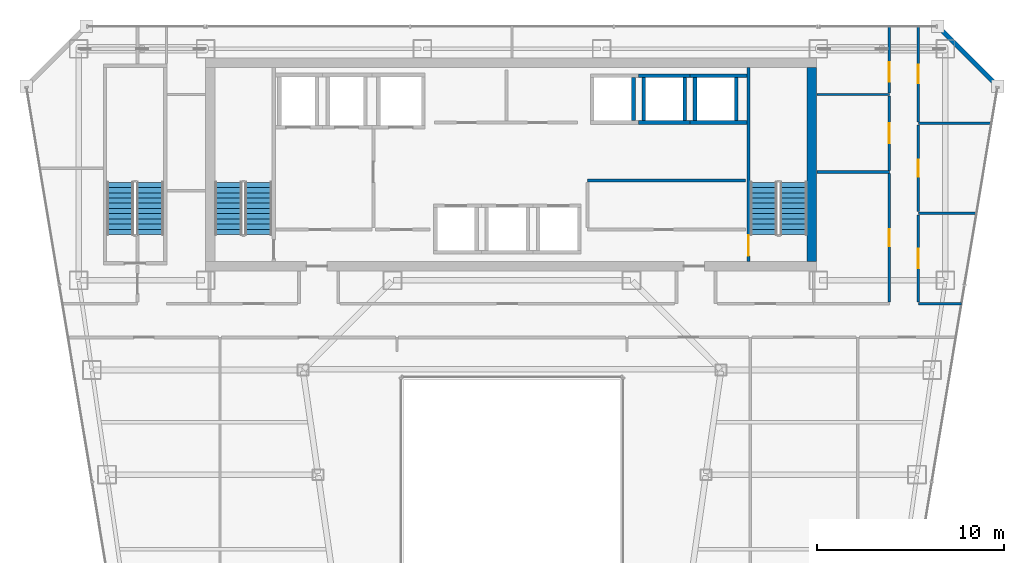
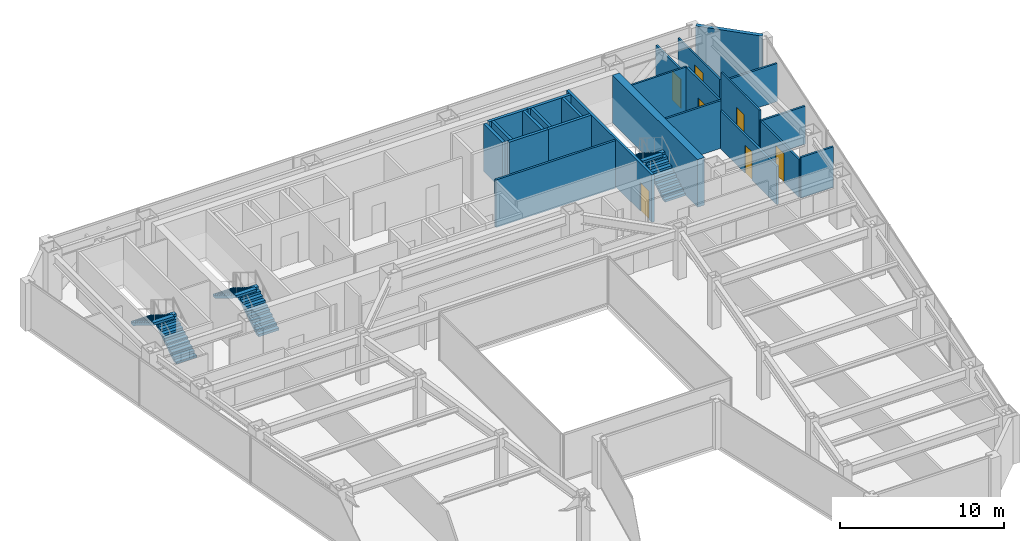
# One storey, part 33 of 36: 24 walls, 7 doors, 6 stair flights, 7 openings, 3 elements without a shape of their own.
"""IFC4 building model written with IfcOpenShell, lengths in metres."""

import ifcopenshell
import ifcopenshell.guid

model = None  # the IFC model being written
_history = None  # IfcOwnerHistory: only IFC2X3 demands one
_inside = {}  # id of a spatial element -> (the spatial element, [elements in it])
_under = {}  # id of a project, library or spatial element -> (it, [spatial elements below it])
_declared = {}  # id of a project -> (the project, [libraries it declares])
_typed = {}  # id of a type object -> (the type object, [elements of that type])
_made_of = {}  # id of a material, layer set ... -> (it, [elements and type objects made of it])


def new_model(schema):
    """Start an empty IFC model of exactly this schema.

    Asked for "IFC4X3", IfcOpenShell would pick the latest addendum, in which some entities
    have other attributes; the version numbers below select the first issue.
    IFC2X3 requires an IfcOwnerHistory on every rooted entity: one is made here for all.
    """
    global model, _history
    if schema == "IFC4X3":
        model = ifcopenshell.file(schema_version=(4, 3, 0, 0))
    else:
        model = ifcopenshell.file(schema=schema)
    _inside.clear()
    _under.clear()
    _declared.clear()
    _typed.clear()
    _made_of.clear()
    _history = None
    if model.schema == "IFC2X3":
        org = make("IfcOrganization", Name="unknown")
        user = make(
            "IfcPersonAndOrganization",
            ThePerson=make("IfcPerson", FamilyName="unknown"),
            TheOrganization=org,
        )
        app = make(
            "IfcApplication",
            ApplicationDeveloper=org,
            Version="unknown",
            ApplicationFullName="unknown",
            ApplicationIdentifier="unknown",
        )
        _history = make(
            "IfcOwnerHistory",
            OwningUser=user,
            OwningApplication=app,
            ChangeAction="ADDED",
            CreationDate=0,
        )
    return model


def make(cls, **values):
    """One entity of the class cls with the attributes given. An attribute that is None is left unset."""
    return model.create_entity(
        cls, **{name: value for name, value in values.items() if value is not None}
    )


def rooted(cls, **values):
    """An entity with a GlobalId (a new one), such as an element, a storey or a relation."""
    return make(cls, GlobalId=ifcopenshell.guid.new(), OwnerHistory=_history, **values)


def si_unit(unit_type, name, prefix=None):
    """IfcSIUnit, for example si_unit("LENGTHUNIT", "METRE", prefix="MILLI")."""
    return make("IfcSIUnit", UnitType=unit_type, Prefix=prefix, Name=name)


def assignment(units):
    """IfcUnitAssignment: the units of a project."""
    return None if units is None else make("IfcUnitAssignment", Units=units)


def point(xyz):
    """IfcCartesianPoint."""
    return None if xyz is None else make("IfcCartesianPoint", Coordinates=xyz)


def direction(xyz):
    """IfcDirection."""
    return None if xyz is None else make("IfcDirection", DirectionRatios=xyz)


def frame(location, z_axis=None, x_axis=None):
    """IfcAxis2Placement3D, a coordinate frame: its origin and axes. An axis left out is left unset."""
    return make(
        "IfcAxis2Placement3D",
        Location=point(location),
        Axis=direction(z_axis),
        RefDirection=direction(x_axis),
    )


def frame_2d(location, x_axis=None):
    """IfcAxis2Placement2D, a coordinate frame in the plane: its origin and x axis."""
    return make(
        "IfcAxis2Placement2D", Location=point(location), RefDirection=direction(x_axis)
    )


def origin():
    """The frame at (0, 0, 0) with its axes left unset."""
    return frame((0.0, 0.0, 0.0))


def place(relative_to, where):
    """IfcLocalPlacement: puts the frame where relative to a parent placement (None: the world)."""
    return make(
        "IfcLocalPlacement", PlacementRelTo=relative_to, RelativePlacement=where
    )


def context(
    kind, dimensions, precision=None, world=None, true_north=None, identifier=None
):
    """IfcGeometricRepresentationContext, for example the 3D "Model" context."""
    return make(
        "IfcGeometricRepresentationContext",
        ContextIdentifier=identifier,
        ContextType=kind,
        CoordinateSpaceDimension=dimensions,
        Precision=precision,
        WorldCoordinateSystem=world,
        TrueNorth=true_north,
    )


def subcontext(parent, identifier, kind, view, scale=None):
    """IfcGeometricRepresentationSubContext, for example "Body" below "Model"."""
    return make(
        "IfcGeometricRepresentationSubContext",
        ContextIdentifier=identifier,
        ContextType=kind,
        ParentContext=parent,
        TargetScale=scale,
        TargetView=view,
    )


def project(units=None, contexts=None):
    """IfcProject with its units and contexts."""
    return rooted(
        "IfcProject",
        Name="project",
        RepresentationContexts=contexts,
        UnitsInContext=assignment(units),
    )


def spatial(cls, under=None, at=None, **own):
    """A site, building, storey or space (cls), placed at a placement, below another one or the project."""
    s = rooted(cls, ObjectPlacement=at, **own)
    if under is not None:
        _under.setdefault(under.id(), (under, []))[1].append(s)
    return s


def polyline(points):
    """IfcPolyline through the points."""
    return make("IfcPolyline", Points=[point(p) for p in points])


def profile(cls, at=None, kind="AREA", **sizes):
    """A parametric profile (cls). Its sizes go by their IFC names, for example OverallWidth=200.0."""
    return make(cls, ProfileType=kind, Position=at, **sizes)


def rectangle(**sizes):
    """IfcRectangleProfileDef."""
    return profile("IfcRectangleProfileDef", **sizes)


def outline(outer, holes=None, kind="AREA"):
    """IfcArbitraryClosedProfileDef: a profile drawn as a closed curve; with holes, ...WithVoids."""
    if holes is None:
        return make("IfcArbitraryClosedProfileDef", ProfileType=kind, OuterCurve=outer)
    return make(
        "IfcArbitraryProfileDefWithVoids",
        ProfileType=kind,
        OuterCurve=outer,
        InnerCurves=holes,
    )


def extrude(swept, where, along, depth):
    """IfcExtrudedAreaSolid: the profile swept, set in the frame where, extruded along a direction by depth."""
    return make(
        "IfcExtrudedAreaSolid",
        SweptArea=swept,
        Position=where,
        ExtrudedDirection=direction(along),
        Depth=depth,
    )


def shape(context_of_items, identifier, shape_type, items):
    """IfcShapeRepresentation: the items that make up one representation, for example the "Body"."""
    return make(
        "IfcShapeRepresentation",
        ContextOfItems=context_of_items,
        RepresentationIdentifier=identifier,
        RepresentationType=shape_type,
        Items=items,
    )


def material(Name=None, Category=None):
    """IfcMaterial."""
    return make("IfcMaterial", Name=Name, Category=Category)


def layer(
    of_material, thickness, ventilated=None, Name=None, Category=None, Priority=None
):
    """IfcMaterialLayer: one layer of a wall or slab, of a material (None: an air gap)."""
    return make(
        "IfcMaterialLayer",
        Material=of_material,
        LayerThickness=thickness,
        IsVentilated=ventilated,
        Name=Name,
        Category=Category,
        Priority=Priority,
    )


def layer_set(layers, Name=None):
    """IfcMaterialLayerSet."""
    return make("IfcMaterialLayerSet", MaterialLayers=layers, LayerSetName=Name)


def made_of(thing, what):
    """Note that an element or type object is made of a material, layer set ...; save() writes the relation."""
    if what is not None:
        _made_of.setdefault(what.id(), (what, []))[1].append(thing)
    return thing


def type_object(cls, material=None, **own):
    """A type object (cls), such as IfcWallType, which elements share."""
    return made_of(rooted(cls, **own), material)


def element(
    cls,
    number,
    at=None,
    inside=None,
    cuts=None,
    type_object=None,
    material=None,
    context=None,
    identifier="Body",
    shape_type=None,
    held_by="IfcProductDefinitionShape",
    body=None,
    shapes=None,
    **own,
):
    """One element of the class cls, such as IfcWall. Its Tag is "e" and its number.

    at: its placement. inside: the storey or other place that contains it. cuts: it is an
    opening in that element (IfcRelVoidsElement). A single representation is given by context,
    identifier, shape_type and body (its items); several are given by shapes. held_by: the class
    of the entity that holds the representations. save() writes the other relations.
    """
    e = rooted(cls, Tag="e%d" % number, ObjectPlacement=at, **own)
    if body is not None:
        shapes = [shape(context, identifier, shape_type, body)]
    if shapes is not None:
        e.Representation = make(held_by, Representations=shapes)
    if inside is not None:
        _inside.setdefault(inside.id(), (inside, []))[1].append(e)
    if cuts is not None:
        rooted(
            "IfcRelVoidsElement", RelatingBuildingElement=cuts, RelatedOpeningElement=e
        )
    if type_object is not None:
        _typed.setdefault(type_object.id(), (type_object, []))[1].append(e)
    return made_of(e, material)


def fill(opening, filler):
    """IfcRelFillsElement: the door or window that sits in an opening."""
    return rooted(
        "IfcRelFillsElement",
        RelatingOpeningElement=opening,
        RelatedBuildingElement=filler,
    )


def aggregate(whole, parts):
    """IfcRelAggregates: a whole, such as a stair, and the parts it consists of."""
    return rooted("IfcRelAggregates", RelatingObject=whole, RelatedObjects=parts)


def save(model, path):
    """Write the relations noted so far, then the file.

    IfcRelAggregates (storeys below a building ...), IfcRelContainedInSpatialStructure (elements
    in a storey), IfcRelDefinesByType, IfcRelAssociatesMaterial and IfcRelDeclares: one each for
    every whole, place, type object, material and project.
    """
    for whole, parts in _under.values():
        aggregate(whole, parts)
    for where, things in _inside.values():
        rooted(
            "IfcRelContainedInSpatialStructure",
            RelatedElements=things,
            RelatingStructure=where,
        )
    for kind, things in _typed.values():
        rooted("IfcRelDefinesByType", RelatedObjects=things, RelatingType=kind)
    for what, things in _made_of.values():
        rooted("IfcRelAssociatesMaterial", RelatedObjects=things, RelatingMaterial=what)
    for by, libraries in _declared.values():
        rooted("IfcRelDeclares", RelatingContext=by, RelatedDefinitions=libraries)
    model.write(path)


model = new_model("IFC4")

# Units and contexts
model_context = context("Model", 3, precision=1e-05, world=origin(), true_north=direction((0.0, 1.0)))
body_context = subcontext(model_context, "Body", "Model", "MODEL_VIEW")
ifc_project = project(units=[si_unit("LENGTHUNIT", "METRE"), si_unit("AREAUNIT", "SQUARE_METRE"), si_unit("VOLUMEUNIT", "CUBIC_METRE"), si_unit("PLANEANGLEUNIT", "RADIAN"), si_unit("MASSUNIT", "GRAM", prefix="KILO")], contexts=[model_context])

# Site, building, storey
site_placement = place(None, origin())
site = spatial("IfcSite", under=ifc_project, at=site_placement, CompositionType="ELEMENT")
building_placement = place(site_placement, origin())
building = spatial("IfcBuilding", under=site, at=building_placement, Name="Saevonmaru Cultural Tower", CompositionType="ELEMENT")
storey_placement = place(building_placement, frame((0.0, 0.0, 152.39990234375)))
storey = spatial("IfcBuildingStorey", under=building, at=storey_placement, Name="L33", CompositionType="ELEMENT", Elevation=152.39990234375)

# Walls
ifc_material_1 = material(Name="Concrete C60/75", Category="concrete")
ifc_layer_1 = layer(ifc_material_1, 0.5, Name="Concrete C60/75")
ifc_layer_set_1 = layer_set([ifc_layer_1], Name="Concrete C60/75")
wall_type_1 = type_object("IfcWallType", Name="WL-CORE-500", PredefinedType="SHEAR", material=ifc_layer_set_1)
wall_1_placement = place(storey_placement, frame((46.050048828125, 43.39990234375, 0.0), z_axis=(0.0, 0.0, 1.0), x_axis=(0.0, 1.0, 0.0)))
element("IfcWall", 1, at=wall_1_placement, inside=storey, type_object=wall_type_1, Name="L33 Tower RC core shear wall E", PredefinedType="SHEAR", context=body_context, shape_type="SweptSolid", body=[
    extrude(rectangle(XDim=10.400146484375, YDim=0.5, at=frame_2d((5.2001953125, 0.0))), origin(), (0.0, 0.0, 1.0), 3.550048828125),
])
ifc_material_2 = material(Name="Gypsum Fireboard Partition", Category="gypsum")
ifc_layer_2 = layer(ifc_material_2, 0.14990234375, Name="Gypsum Fireboard Partition")
ifc_layer_set_2 = layer_set([ifc_layer_2], Name="Gypsum Fireboard Partition")
wall_type_2 = type_object("IfcWallType", Name="WL-CORE-PART-150", PredefinedType="PARTITIONING", material=ifc_layer_set_2)
wall_2_placement = place(storey_placement, frame((34.050048828125, 47.75, 0.0), z_axis=(0.0, 0.0, 1.0), x_axis=(1.0, 0.0, 0.0)))
element("IfcWall", 2, at=wall_2_placement, inside=storey, type_object=wall_type_2, Name="L33 Core Service North Wall", PredefinedType="PARTITIONING", context=body_context, shape_type="SweptSolid", body=[
    extrude(rectangle(XDim=8.449951171875, YDim=0.14990234375, at=frame_2d((4.22509765625, 0.0))), origin(), (0.0, 0.0, 1.0), 3.550048828125),
])
ifc_material_3 = material(Name="Granite-Clad Precast Concrete C40/50", Category="masonry")
ifc_layer_3 = layer(ifc_material_3, 0.260009765625, Name="Granite-Clad Precast Concrete C40/50")
ifc_layer_set_3 = layer_set([ifc_layer_3], Name="Granite-Clad Precast Concrete C40/50")
wall_type_3 = type_object("IfcWallType", Name="WL-EXT-SPANDREL-260", PredefinedType="STANDARD", material=ifc_layer_set_3)
wall_3_placement = place(storey_placement, frame((55.886962890625, 52.9130859375, 0.0), z_axis=(0.0, 0.0, 1.0), x_axis=(-0.707106781187, 0.707106781187, 0.0)))
element("IfcWall", 3, at=wall_3_placement, inside=storey, type_object=wall_type_3, Name="L33 Chamfer Corner Spandrel Wall E9", PredefinedType="STANDARD", context=body_context, shape_type="SweptSolid", body=[
    extrude(rectangle(XDim=4.205810546875, YDim=0.260009765625, at=frame_2d((2.10302734375, 0.0))), origin(), (0.0, 0.0, 1.0), 3.550048828125),
])

# Wall, opening, door
ifc_layer_4 = layer(ifc_material_2, 0.14990234375, Name="Gypsum Fireboard Partition")
ifc_layer_set_4 = layer_set([ifc_layer_4], Name="Gypsum Fireboard Partition")
wall_type_4 = type_object("IfcWallType", Name="WL-PART-FIRE-150", PredefinedType="PARTITIONING", material=ifc_layer_set_4)
wall_4_placement = place(storey_placement, frame((50.199951171875, 48.2900390625, 0.0), z_axis=(0.0, 0.0, 1.0), x_axis=(0.0, 1.0, 0.0)))
wall_4 = element("IfcWall", 4, at=wall_4_placement, inside=storey, type_object=wall_type_4, Name="L33 Sky Observatory Gallery Corridor Wall", PredefinedType="PARTITIONING", context=body_context, shape_type="SweptSolid", body=[
    extrude(rectangle(XDim=3.97998046875, YDim=0.14990234375, at=frame_2d((1.989990234375, 0.0))), origin(), (0.0, 0.0, 1.0), 3.550048828125),
])
opening_1_placement = place(wall_4_placement, frame((1.465087890625, 0.0, 0.0)))
opening_1 = element("IfcOpeningElement", 5, at=opening_1_placement, cuts=wall_4, Name="Opening ID-1", PredefinedType="OPENING", context=body_context, shape_type="SweptSolid", body=[
    extrude(rectangle(XDim=1.050048828125, YDim=2.14990234375, at=frame_2d((0.52490234375, 1.074951171875))), frame((0.0, 0.0849609375, 0.0), z_axis=(0.0, -1.0, 0.0), x_axis=(1.0, 0.0, 0.0)), (0.0, 0.0, 1.0), 0.169921875),
])
ifc_material_4 = material(Name="Satin Bronze Anodised Aluminium", Category="aluminium")
door_type_1 = type_object("IfcDoorType", Name="DR-INT-1050", OperationType="SINGLE_SWING_LEFT", PredefinedType="DOOR", material=ifc_material_4)
door_1_placement = place(opening_1_placement, origin())
door_1 = element("IfcDoor", 6, at=door_1_placement, inside=storey, type_object=door_type_1, Name="L33 Sky Observatory Gallery Door", OperationType="SINGLE_SWING_LEFT", OverallHeight=2.14990234375, OverallWidth=1.050048828125, PredefinedType="DOOR", context=body_context, shape_type="SweptSolid", body=[
    extrude(rectangle(XDim=1.050048828125, YDim=2.14990234375, at=frame_2d((0.52490234375, 1.074951171875))), frame((0.0, 0.02490234375, 0.0), z_axis=(0.0, -1.0, 0.0), x_axis=(1.0, 0.0, 0.0)), (0.0, 0.0, 1.0), 0.050048828125),
])
fill(opening_1, door_1)

wall_5_placement = place(storey_placement, frame((50.199951171875, 52.429931640625, 0.0), z_axis=(0.0, 0.0, 1.0), x_axis=(0.0, 1.0, 0.0)))
wall_5 = element("IfcWall", 7, at=wall_5_placement, inside=storey, type_object=wall_type_4, Name="L33 Skyline Exhibition Gallery Corridor Wall", PredefinedType="PARTITIONING", context=body_context, shape_type="SweptSolid", body=[
    extrude(rectangle(XDim=3.565185546875, YDim=0.14990234375, at=frame_2d((1.78271484375, 0.0))), origin(), (0.0, 0.0, 1.0), 2.93505859375),
])
opening_2_placement = place(wall_5_placement, frame((0.596923828125, 0.0, 0.0)))
opening_2 = element("IfcOpeningElement", 8, at=opening_2_placement, cuts=wall_5, Name="Opening ID-1", PredefinedType="OPENING", context=body_context, shape_type="SweptSolid", body=[
    extrude(rectangle(XDim=1.050048828125, YDim=2.14990234375, at=frame_2d((0.52490234375, 1.074951171875))), frame((0.0, 0.0849609375, 0.0), z_axis=(0.0, -1.0, 0.0), x_axis=(1.0, 0.0, 0.0)), (0.0, 0.0, 1.0), 0.169921875),
])
door_2_placement = place(opening_2_placement, origin())
door_2 = element("IfcDoor", 9, at=door_2_placement, inside=storey, type_object=door_type_1, Name="L33 Skyline Exhibition Gallery Door", OperationType="SINGLE_SWING_RIGHT", OverallHeight=2.14990234375, OverallWidth=1.050048828125, PredefinedType="DOOR", context=body_context, shape_type="SweptSolid", body=[
    extrude(rectangle(XDim=1.050048828125, YDim=2.14990234375, at=frame_2d((0.52490234375, 1.074951171875))), frame((0.0, 0.02490234375, 0.0), z_axis=(0.0, -1.0, 0.0), x_axis=(1.0, 0.0, 0.0)), (0.0, 0.0, 1.0), 0.050048828125),
])
fill(opening_2, door_2)

# Wall
ifc_layer_5 = layer(ifc_material_2, 0.1201171875, Name="Gypsum Fireboard Partition")
ifc_layer_set_5 = layer_set([ifc_layer_5], Name="Gypsum Fireboard Partition")
wall_type_5 = type_object("IfcWallType", Name="WL-PART-GYP-120", PredefinedType="PARTITIONING", material=ifc_layer_set_5)
wall_6_placement = place(storey_placement, frame((46.320068359375, 52.35009765625, 0.0), z_axis=(0.0, 0.0, 1.0), x_axis=(1.0, 0.0, 0.0)))
element("IfcWall", 10, at=wall_6_placement, inside=storey, type_object=wall_type_5, Name="L33 North-East Panorama South Wall", PredefinedType="PARTITIONING", context=body_context, shape_type="SweptSolid", body=[
    extrude(rectangle(XDim=3.8798828125, YDim=0.1201171875, at=frame_2d((1.93994140625, 0.0))), origin(), (0.0, 0.0, 1.0), 3.550048828125),
])

# Wall, opening, door
wall_7_placement = place(storey_placement, frame((51.75, 41.237548828125, 0.0), z_axis=(0.0, 0.0, 1.0), x_axis=(0.0, 1.0, 0.0)))
wall_7 = element("IfcWall", 11, at=wall_7_placement, inside=storey, type_object=wall_type_5, Name="L33 Periodical Reading Room Corridor Wall", PredefinedType="PARTITIONING", context=body_context, shape_type="SweptSolid", body=[
    extrude(rectangle(XDim=4.675048828125, YDim=0.1201171875, at=frame_2d((2.33740234375, 0.0))), origin(), (0.0, 0.0, 1.0), 2.835205078125),
])
opening_3_placement = place(wall_7_placement, frame((1.81298828125, 0.0, 0.0)))
opening_3 = element("IfcOpeningElement", 12, at=opening_3_placement, cuts=wall_7, Name="Opening ID-1", PredefinedType="OPENING", context=body_context, shape_type="SweptSolid", body=[
    extrude(rectangle(XDim=1.050048828125, YDim=2.14990234375, at=frame_2d((0.52490234375, 1.074951171875))), frame((0.0, 0.070068359375, 0.0), z_axis=(0.0, -1.0, 0.0), x_axis=(1.0, 0.0, 0.0)), (0.0, 0.0, 1.0), 0.14013671875),
])
door_3_placement = place(opening_3_placement, origin())
door_3 = element("IfcDoor", 13, at=door_3_placement, inside=storey, type_object=door_type_1, Name="L33 Periodical Reading Room Door", OperationType="SINGLE_SWING_RIGHT", OverallHeight=2.14990234375, OverallWidth=1.050048828125, PredefinedType="DOOR", context=body_context, shape_type="SweptSolid", body=[
    extrude(rectangle(XDim=1.050048828125, YDim=2.14990234375, at=frame_2d((0.52490234375, 1.074951171875))), frame((0.0, 0.02490234375, 0.0), z_axis=(0.0, -1.0, 0.0), x_axis=(1.0, 0.0, 0.0)), (0.0, 0.0, 1.0), 0.050048828125),
])
fill(opening_3, door_3)

wall_8_placement = place(storey_placement, frame((51.75, 46.08740234375, 0.0), z_axis=(0.0, 0.0, 1.0), x_axis=(0.0, 1.0, 0.0)))
wall_8 = element("IfcWall", 14, at=wall_8_placement, inside=storey, type_object=wall_type_5, Name="L33 Editorial Fellows Office Corridor Wall", PredefinedType="PARTITIONING", context=body_context, shape_type="SweptSolid", body=[
    extrude(rectangle(XDim=4.625, YDim=0.1201171875, at=frame_2d((2.3125, 0.0))), origin(), (0.0, 0.0, 1.0), 3.550048828125),
])
opening_4_placement = place(wall_8_placement, frame((1.863037109375, 0.0, 0.0)))
opening_4 = element("IfcOpeningElement", 15, at=opening_4_placement, cuts=wall_8, Name="Opening ID-2", PredefinedType="OPENING", context=body_context, shape_type="SweptSolid", body=[
    extrude(rectangle(XDim=0.89990234375, YDim=2.10009765625, at=frame_2d((0.449951171875, 1.050048828125))), frame((0.0, 0.070068359375, 0.0), z_axis=(0.0, -1.0, 0.0), x_axis=(1.0, 0.0, 0.0)), (0.0, 0.0, 1.0), 0.14013671875),
])
ifc_material_5 = material(Name="Acoustic Stained Oak Timber", Category="wood")
door_type_2 = type_object("IfcDoorType", Name="DR-INT-900", OperationType="SINGLE_SWING_RIGHT", PredefinedType="DOOR", material=ifc_material_5)
door_4_placement = place(opening_4_placement, origin())
door_4 = element("IfcDoor", 16, at=door_4_placement, inside=storey, type_object=door_type_2, Name="L33 Editorial Fellows Office Door", OperationType="SINGLE_SWING_LEFT", OverallHeight=2.10009765625, OverallWidth=0.89990234375, PredefinedType="DOOR", context=body_context, shape_type="SweptSolid", body=[
    extrude(rectangle(XDim=0.89990234375, YDim=2.10009765625, at=frame_2d((0.449951171875, 1.050048828125))), frame((0.0, 0.02490234375, 0.0), z_axis=(0.0, -1.0, 0.0), x_axis=(1.0, 0.0, 0.0)), (0.0, 0.0, 1.0), 0.050048828125),
])
fill(opening_4, door_4)

wall_9_placement = place(storey_placement, frame((51.75, 50.887451171875, 0.0), z_axis=(0.0, 0.0, 1.0), x_axis=(0.0, 1.0, 0.0)))
wall_9 = element("IfcWall", 17, at=wall_9_placement, inside=storey, type_object=wall_type_5, Name="L33 Terrace Overlook Cafe Corridor Wall", PredefinedType="PARTITIONING", context=body_context, shape_type="SweptSolid", body=[
    extrude(rectangle(XDim=5.107666015625, YDim=0.1201171875, at=frame_2d((2.5537109375, 0.0))), origin(), (0.0, 0.0, 1.0), 2.93505859375),
])
opening_5_placement = place(wall_9_placement, frame((2.053955078125, 0.0, 0.0)))
opening_5 = element("IfcOpeningElement", 18, at=opening_5_placement, cuts=wall_9, Name="Opening ID-1B", PredefinedType="OPENING", context=body_context, shape_type="SweptSolid", body=[
    extrude(rectangle(XDim=1.0, YDim=2.14990234375, at=frame_2d((0.5, 1.074951171875))), frame((0.0, 0.070068359375, 0.0), z_axis=(0.0, -1.0, 0.0), x_axis=(1.0, 0.0, 0.0)), (0.0, 0.0, 1.0), 0.14013671875),
])
door_type_3 = type_object("IfcDoorType", Name="DR-INT-1000", OperationType="SINGLE_SWING_RIGHT", PredefinedType="DOOR", material=ifc_material_5)
door_5_placement = place(opening_5_placement, origin())
door_5 = element("IfcDoor", 19, at=door_5_placement, inside=storey, type_object=door_type_3, Name="L33 Terrace Overlook Cafe Door", OperationType="SINGLE_SWING_RIGHT", OverallHeight=2.14990234375, OverallWidth=1.0, PredefinedType="DOOR", context=body_context, shape_type="SweptSolid", body=[
    extrude(rectangle(XDim=1.0, YDim=2.14990234375, at=frame_2d((0.5, 1.074951171875))), frame((0.0, 0.02490234375, 0.0), z_axis=(0.0, -1.0, 0.0), x_axis=(1.0, 0.0, 0.0)), (0.0, 0.0, 1.0), 0.050048828125),
])
fill(opening_5, door_5)

# Walls
ifc_layer_6 = layer(ifc_material_2, 0.135009765625, Name="Gypsum Fireboard Partition")
ifc_layer_set_6 = layer_set([ifc_layer_6], Name="Gypsum Fireboard Partition")
wall_type_6 = type_object("IfcWallType", Name="WL-PART-GYP-135", PredefinedType="PARTITIONING", material=ifc_layer_set_6)
wall_10_placement = place(storey_placement, frame((51.75, 41.14990234375, 0.0), z_axis=(0.0, 0.0, 1.0), x_axis=(1.0, 0.0, 0.0)))
element("IfcWall", 20, at=wall_10_placement, inside=storey, type_object=wall_type_6, Name="L33 NE Wing South Wall", PredefinedType="PARTITIONING", context=body_context, shape_type="SweptSolid", body=[
    extrude(rectangle(XDim=2.30810546875, YDim=0.135009765625, at=frame_2d((1.154052734375, 0.0))), origin(), (0.0, 0.0, 1.0), 3.03515625),
])
wall_11_placement = place(storey_placement, frame((51.75, 46.0, 0.0), z_axis=(0.0, 0.0, 1.0), x_axis=(1.0, 0.0, 0.0)))
element("IfcWall", 21, at=wall_11_placement, inside=storey, type_object=wall_type_6, Name="L33 NE Studio Divider 1", PredefinedType="PARTITIONING", context=body_context, shape_type="SweptSolid", body=[
    extrude(rectangle(XDim=3.114501953125, YDim=0.135009765625, at=frame_2d((1.55712890625, 0.0))), origin(), (0.0, 0.0, 1.0), 2.835205078125),
])
wall_12_placement = place(storey_placement, frame((51.75, 50.800048828125, 0.0), z_axis=(0.0, 0.0, 1.0), x_axis=(1.0, 0.0, 0.0)))
element("IfcWall", 22, at=wall_12_placement, inside=storey, type_object=wall_type_6, Name="L33 NE Studio Divider 2", PredefinedType="PARTITIONING", context=body_context, shape_type="SweptSolid", body=[
    extrude(rectangle(XDim=3.912353515625, YDim=0.135009765625, at=frame_2d((1.9560546875, 0.0))), origin(), (0.0, 0.0, 1.0), 2.835205078125),
])
ifc_layer_7 = layer(ifc_material_2, 0.139892578125, Name="Gypsum Fireboard Partition")
ifc_layer_set_7 = layer_set([ifc_layer_7], Name="Gypsum Fireboard Partition")
wall_type_7 = type_object("IfcWallType", Name="WL-PART-WET-140", PredefinedType="PARTITIONING", material=ifc_layer_set_7)
wall_13_placement = place(storey_placement, frame((46.320068359375, 48.199951171875, 0.0), z_axis=(0.0, 0.0, 1.0), x_axis=(1.0, 0.0, 0.0)))
element("IfcWall", 23, at=wall_13_placement, inside=storey, type_object=wall_type_7, Name="L33 Washroom North Wall", PredefinedType="PARTITIONING", context=body_context, shape_type="SweptSolid", body=[
    extrude(rectangle(XDim=3.8798828125, YDim=0.139892578125, at=frame_2d((1.93994140625, 0.0))), origin(), (0.0, 0.0, 1.0), 3.550048828125),
])

# Wall, opening, door
wall_14_placement = place(storey_placement, frame((50.199951171875, 41.239990234375, 0.0), z_axis=(0.0, 0.0, 1.0), x_axis=(0.0, 1.0, 0.0)))
wall_14 = element("IfcWall", 24, at=wall_14_placement, inside=storey, type_object=wall_type_7, Name="L33 Washroom Corridor Wall", PredefinedType="PARTITIONING", context=body_context, shape_type="SweptSolid", body=[
    extrude(rectangle(XDim=6.8701171875, YDim=0.139892578125, at=frame_2d((3.43505859375, 0.0))), origin(), (0.0, 0.0, 1.0), 2.835205078125),
])
opening_6_placement = place(wall_14_placement, frame((2.985107421875, 0.0, 0.0)))
opening_6 = element("IfcOpeningElement", 25, at=opening_6_placement, cuts=wall_14, Name="Opening ID-2", PredefinedType="OPENING", context=body_context, shape_type="SweptSolid", body=[
    extrude(rectangle(XDim=0.89990234375, YDim=2.10009765625, at=frame_2d((0.449951171875, 1.050048828125))), frame((0.0, 0.080078125, 0.0), z_axis=(0.0, -1.0, 0.0), x_axis=(1.0, 0.0, 0.0)), (0.0, 0.0, 1.0), 0.159912109375),
])
door_6_placement = place(opening_6_placement, origin())
door_6 = element("IfcDoor", 26, at=door_6_placement, inside=storey, type_object=door_type_2, Name="L33 Public Accessible Washrooms Door", OperationType="SINGLE_SWING_RIGHT", OverallHeight=2.10009765625, OverallWidth=0.89990234375, PredefinedType="DOOR", context=body_context, shape_type="SweptSolid", body=[
    extrude(rectangle(XDim=0.89990234375, YDim=2.10009765625, at=frame_2d((0.449951171875, 1.050048828125))), frame((0.0, 0.02490234375, 0.0), z_axis=(0.0, -1.0, 0.0), x_axis=(1.0, 0.0, 0.0)), (0.0, 0.0, 1.0), 0.050048828125),
])
fill(opening_6, door_6)

# Walls
ifc_material_6 = material(Name="Concrete C40/50", Category="concrete")
ifc_layer_8 = layer(ifc_material_6, 0.199951171875, Name="Concrete C40/50")
ifc_layer_set_8 = layer_set([ifc_layer_8], Name="Concrete C40/50")
wall_type_8 = type_object("IfcWallType", Name="WL-SHAFT-200", PredefinedType="SHEAR", material=ifc_layer_set_8)
wall_15_placement = place(storey_placement, frame((36.5, 50.949951171875, 0.0), z_axis=(0.0, 0.0, 1.0), x_axis=(0.0, 1.0, 0.0)))
element("IfcWall", 27, at=wall_15_placement, inside=storey, type_object=wall_type_8, Name="L33 Lift PL-H1 Hoistway Wall E", PredefinedType="SHEAR", context=body_context, shape_type="SweptSolid", body=[
    extrude(rectangle(XDim=2.300048828125, YDim=0.199951171875, at=frame_2d((1.14990234375, 0.0))), origin(), (0.0, 0.0, 1.0), 3.550048828125),
])
for number, where, z_axis, x_axis, name in (
    (28, (36.77490234375, 50.85009765625, 0.0), (0.0, 0.0, 1.0), (1.0, 0.0, 0.0), "L33 Lift PL-H2 Hoistway Wall S"),
    (29, (36.77490234375, 53.35009765625, 0.0), (0.0, 0.0, 1.0), (1.0, 0.0, 0.0), "L33 Lift PL-H2 Hoistway Wall N"),
):
    element("IfcWall", number, at=place(storey_placement, frame(where, z_axis=z_axis, x_axis=x_axis)), inside=storey, type_object=wall_type_8, Name=name, PredefinedType="SHEAR", context=body_context, shape_type="SweptSolid", body=[
        extrude(rectangle(XDim=2.75, YDim=0.199951171875, at=frame_2d((1.375, 0.0))), origin(), (0.0, 0.0, 1.0), 3.550048828125),
    ])
for number, where, z_axis, x_axis, name in (
    (30, (37.050048828125, 50.949951171875, 0.0), (0.0, 0.0, 1.0), (0.0, 1.0, 0.0), "L33 Lift PL-H2 Hoistway Wall W"),
    (31, (39.25, 50.949951171875, 0.0), (0.0, 0.0, 1.0), (0.0, 1.0, 0.0), "L33 Lift PL-H2 Hoistway Wall E"),
):
    element("IfcWall", number, at=place(storey_placement, frame(where, z_axis=z_axis, x_axis=x_axis)), inside=storey, type_object=wall_type_8, Name=name, PredefinedType="SHEAR", context=body_context, shape_type="SweptSolid", body=[
        extrude(rectangle(XDim=2.300048828125, YDim=0.199951171875, at=frame_2d((1.14990234375, 0.0))), origin(), (0.0, 0.0, 1.0), 3.550048828125),
    ])
for number, where, z_axis, x_axis, name in (
    (32, (39.52490234375, 50.85009765625, 0.0), (0.0, 0.0, 1.0), (1.0, 0.0, 0.0), "L33 Lift PL-H3 Hoistway Wall S"),
    (33, (39.52490234375, 53.35009765625, 0.0), (0.0, 0.0, 1.0), (1.0, 0.0, 0.0), "L33 Lift PL-H3 Hoistway Wall N"),
):
    element("IfcWall", number, at=place(storey_placement, frame(where, z_axis=z_axis, x_axis=x_axis)), inside=storey, type_object=wall_type_8, Name=name, PredefinedType="SHEAR", context=body_context, shape_type="SweptSolid", body=[
        extrude(rectangle(XDim=3.045166015625, YDim=0.199951171875, at=frame_2d((1.5224609375, 0.0))), origin(), (0.0, 0.0, 1.0), 3.550048828125),
    ])
for number, where, z_axis, x_axis, name in (
    (34, (39.800048828125, 50.949951171875, 0.0), (0.0, 0.0, 1.0), (0.0, 1.0, 0.0), "L33 Lift PL-H3 Hoistway Wall W"),
    (35, (42.0, 50.949951171875, 0.0), (0.0, 0.0, 1.0), (0.0, 1.0, 0.0), "L33 Lift PL-H3 Hoistway Wall E"),
):
    element("IfcWall", number, at=place(storey_placement, frame(where, z_axis=z_axis, x_axis=x_axis)), inside=storey, type_object=wall_type_8, Name=name, PredefinedType="SHEAR", context=body_context, shape_type="SweptSolid", body=[
        extrude(rectangle(XDim=2.300048828125, YDim=0.199951171875, at=frame_2d((1.14990234375, 0.0))), origin(), (0.0, 0.0, 1.0), 3.550048828125),
    ])

# Wall, opening, door
ifc_layer_9 = layer(ifc_material_6, 0.179931640625, Name="Concrete C40/50")
ifc_layer_set_9 = layer_set([ifc_layer_9], Name="Concrete C40/50")
wall_type_9 = type_object("IfcWallType", Name="WL-STSHAFT-180", PredefinedType="SHEAR", material=ifc_layer_set_9)
wall_16_placement = place(storey_placement, frame((42.659912109375, 53.800048828125, 0.0), z_axis=(0.0, 0.0, 1.0), x_axis=(0.0, -1.0, 0.0)))
wall_16 = element("IfcWall", 36, at=wall_16_placement, inside=storey, type_object=wall_type_9, Name="L33 Stair ST-2 Structural Shaft Wall 1", PredefinedType="SHEAR", context=body_context, shape_type="SweptSolid", body=[
    extrude(rectangle(XDim=10.400146484375, YDim=0.179931640625, at=frame_2d((5.2001953125, 0.0))), origin(), (0.0, 0.0, 1.0), 3.550048828125),
])
opening_7_placement = place(wall_16_placement, frame((8.989990234375, 0.0, 0.0)))
opening_7 = element("IfcOpeningElement", 37, at=opening_7_placement, cuts=wall_16, Name="Opening FD-2", PredefinedType="OPENING", context=body_context, shape_type="SweptSolid", body=[
    extrude(rectangle(XDim=1.10009765625, YDim=2.14990234375, at=frame_2d((0.550048828125, 1.074951171875))), frame((0.0, 0.10009765625, 0.0), z_axis=(0.0, -1.0, 0.0), x_axis=(1.0, 0.0, 0.0)), (0.0, 0.0, 1.0), 0.199951171875),
])
door_type_4 = type_object("IfcDoorType", Name="DR-FD60-1100", OperationType="SINGLE_SWING_LEFT", PredefinedType="DOOR", material=ifc_material_4)
door_7_placement = place(opening_7_placement, origin())
door_7 = element("IfcDoor", 38, at=door_7_placement, inside=storey, type_object=door_type_4, Name="L33 Protected Stair ST-2 Fire Door", OperationType="SINGLE_SWING_LEFT", OverallHeight=2.14990234375, OverallWidth=1.10009765625, PredefinedType="DOOR", context=body_context, shape_type="SweptSolid", body=[
    extrude(rectangle(XDim=1.10009765625, YDim=2.14990234375, at=frame_2d((0.550048828125, 1.074951171875))), frame((0.0, 0.02490234375, 0.0), z_axis=(0.0, -1.0, 0.0), x_axis=(1.0, 0.0, 0.0)), (0.0, 0.0, 1.0), 0.050048828125),
])
fill(opening_7, door_7)

# Stair, stair flights
stair_type = type_object("IfcStairType", Name="STR-DOGLEG-RC", PredefinedType="HALF_TURN_STAIR", material=ifc_material_6)
stair_1_placement = place(storey_placement, origin())
stair_1 = element("IfcStair", 39, at=stair_1_placement, inside=storey, type_object=stair_type, Name="L33 Protected exit stair ST-1", PredefinedType="HALF_TURN_STAIR")
ifc_material_7 = material(Name="Precast concrete C40/50", Category="concrete")
stair_flight_type = type_object("IfcStairFlightType", Name="STF-PRECAST-180", PredefinedType="STRAIGHT", material=ifc_material_7)
stair_flight_1_placement = place(storey_placement, frame((16.425048828125, 44.85009765625, 0.0), z_axis=(0.0, 0.0, 1.0), x_axis=(0.0, 1.0, 0.0)))
stair_flight_1 = element("IfcStairFlight", 40, at=stair_flight_1_placement, type_object=stair_flight_type, Name="ST-1-L33 flight 1", NumberOfRisers=11, NumberOfTreads=10, PredefinedType="STRAIGHT", RiserHeight=0.172727273, TreadLength=0.28, context=body_context, shape_type="SweptSolid", body=[
    extrude(outline(polyline([(0.0, 0.0), (0.0, 0.172607421875), (0.280029296875, 0.172607421875), (0.280029296875, 0.345458984375), (0.56005859375, 0.345458984375), (0.56005859375, 0.51806640625), (0.840087890625, 0.51806640625), (0.840087890625, 0.69091796875), (1.1201171875, 0.69091796875), (1.1201171875, 0.863525390625), (1.39990234375, 0.863525390625), (1.39990234375, 1.036376953125), (1.679931640625, 1.036376953125), (1.679931640625, 1.208984375), (1.9599609375, 1.208984375), (1.9599609375, 1.3818359375), (2.239990234375, 1.3818359375), (2.239990234375, 1.554443359375), (2.52001953125, 1.554443359375), (2.52001953125, 1.727294921875), (2.800048828125, 1.727294921875), (2.800048828125, 1.89990234375), (2.800048828125, 1.551025390625), (0.285400390625, 0.0), (0.0, 0.0)])), frame((0.0, 0.72509765625, 0.0), z_axis=(0.0, -1.0, 0.0), x_axis=(1.0, 0.0, 0.0)), (0.0, 0.0, 1.0), 1.449951171875),
])
stair_flight_2_placement = place(storey_placement, frame((14.824951171875, 47.64990234375, 1.900146484375), z_axis=(0.0, 0.0, 1.0), x_axis=(0.0, -1.0, 0.0)))
stair_flight_2 = element("IfcStairFlight", 41, at=stair_flight_2_placement, type_object=stair_flight_type, Name="ST-1-L33 flight 2", NumberOfRisers=11, NumberOfTreads=10, PredefinedType="STRAIGHT", RiserHeight=0.172727273, TreadLength=0.28, context=body_context, shape_type="SweptSolid", body=[
    extrude(outline(polyline([(0.0, 0.0), (0.0, 0.172607421875), (0.280029296875, 0.172607421875), (0.280029296875, 0.345458984375), (0.56005859375, 0.345458984375), (0.56005859375, 0.51806640625), (0.840087890625, 0.51806640625), (0.840087890625, 0.69091796875), (1.1201171875, 0.69091796875), (1.1201171875, 0.863525390625), (1.39990234375, 0.863525390625), (1.39990234375, 1.036376953125), (1.679931640625, 1.036376953125), (1.679931640625, 1.208984375), (1.9599609375, 1.208984375), (1.9599609375, 1.3818359375), (2.239990234375, 1.3818359375), (2.239990234375, 1.554443359375), (2.52001953125, 1.554443359375), (2.52001953125, 1.727294921875), (2.800048828125, 1.727294921875), (2.800048828125, 1.89990234375), (2.800048828125, 1.551025390625), (0.285400390625, 0.0), (0.0, 0.0)])), frame((0.0, 0.72509765625, 0.0), z_axis=(0.0, -1.0, 0.0), x_axis=(1.0, 0.0, 0.0)), (0.0, 0.0, 1.0), 1.449951171875),
])
aggregate(stair_1, [stair_flight_1, stair_flight_2])

stair_2_placement = place(storey_placement, origin())
stair_2 = element("IfcStair", 42, at=stair_2_placement, inside=storey, type_object=stair_type, Name="L33 Protected exit stair ST-2", PredefinedType="HALF_TURN_STAIR")
stair_flight_3_placement = place(storey_placement, frame((45.074951171875, 44.85009765625, 0.0), z_axis=(0.0, 0.0, 1.0), x_axis=(0.0, 1.0, 0.0)))
stair_flight_3 = element("IfcStairFlight", 43, at=stair_flight_3_placement, type_object=stair_flight_type, Name="ST-2-L33 flight 1", NumberOfRisers=11, NumberOfTreads=10, PredefinedType="STRAIGHT", RiserHeight=0.172727273, TreadLength=0.28, context=body_context, shape_type="SweptSolid", body=[
    extrude(outline(polyline([(0.0, 0.0), (0.0, 0.172607421875), (0.280029296875, 0.172607421875), (0.280029296875, 0.345458984375), (0.56005859375, 0.345458984375), (0.56005859375, 0.51806640625), (0.840087890625, 0.51806640625), (0.840087890625, 0.69091796875), (1.1201171875, 0.69091796875), (1.1201171875, 0.863525390625), (1.39990234375, 0.863525390625), (1.39990234375, 1.036376953125), (1.679931640625, 1.036376953125), (1.679931640625, 1.208984375), (1.9599609375, 1.208984375), (1.9599609375, 1.3818359375), (2.239990234375, 1.3818359375), (2.239990234375, 1.554443359375), (2.52001953125, 1.554443359375), (2.52001953125, 1.727294921875), (2.800048828125, 1.727294921875), (2.800048828125, 1.89990234375), (2.800048828125, 1.551025390625), (0.285400390625, 0.0), (0.0, 0.0)])), frame((0.0, 0.72509765625, 0.0), z_axis=(0.0, -1.0, 0.0), x_axis=(1.0, 0.0, 0.0)), (0.0, 0.0, 1.0), 1.449951171875),
])
stair_flight_4_placement = place(storey_placement, frame((43.47509765625, 47.64990234375, 1.900146484375), z_axis=(0.0, 0.0, 1.0), x_axis=(0.0, -1.0, 0.0)))
stair_flight_4 = element("IfcStairFlight", 44, at=stair_flight_4_placement, type_object=stair_flight_type, Name="ST-2-L33 flight 2", NumberOfRisers=11, NumberOfTreads=10, PredefinedType="STRAIGHT", RiserHeight=0.172727273, TreadLength=0.28, context=body_context, shape_type="SweptSolid", body=[
    extrude(outline(polyline([(0.0, 0.0), (0.0, 0.172607421875), (0.280029296875, 0.172607421875), (0.280029296875, 0.345458984375), (0.56005859375, 0.345458984375), (0.56005859375, 0.51806640625), (0.840087890625, 0.51806640625), (0.840087890625, 0.69091796875), (1.1201171875, 0.69091796875), (1.1201171875, 0.863525390625), (1.39990234375, 0.863525390625), (1.39990234375, 1.036376953125), (1.679931640625, 1.036376953125), (1.679931640625, 1.208984375), (1.9599609375, 1.208984375), (1.9599609375, 1.3818359375), (2.239990234375, 1.3818359375), (2.239990234375, 1.554443359375), (2.52001953125, 1.554443359375), (2.52001953125, 1.727294921875), (2.800048828125, 1.727294921875), (2.800048828125, 1.89990234375), (2.800048828125, 1.551025390625), (0.285400390625, 0.0), (0.0, 0.0)])), frame((0.0, 0.72509765625, 0.0), z_axis=(0.0, -1.0, 0.0), x_axis=(1.0, 0.0, 0.0)), (0.0, 0.0, 1.0), 1.449951171875),
])
aggregate(stair_2, [stair_flight_3, stair_flight_4])

stair_3_placement = place(storey_placement, origin())
stair_3 = element("IfcStair", 45, at=stair_3_placement, inside=storey, type_object=stair_type, Name="L33 Protected exit stair ST-3", PredefinedType="HALF_TURN_STAIR")
stair_flight_5_placement = place(storey_placement, frame((10.625, 44.85009765625, 0.0), z_axis=(0.0, 0.0, 1.0), x_axis=(0.0, 1.0, 0.0)))
stair_flight_5 = element("IfcStairFlight", 46, at=stair_flight_5_placement, type_object=stair_flight_type, Name="ST-3-L33 flight 1", NumberOfRisers=11, NumberOfTreads=10, PredefinedType="STRAIGHT", RiserHeight=0.172727273, TreadLength=0.28, context=body_context, shape_type="SweptSolid", body=[
    extrude(outline(polyline([(0.0, 0.0), (0.0, 0.172607421875), (0.280029296875, 0.172607421875), (0.280029296875, 0.345458984375), (0.56005859375, 0.345458984375), (0.56005859375, 0.51806640625), (0.840087890625, 0.51806640625), (0.840087890625, 0.69091796875), (1.1201171875, 0.69091796875), (1.1201171875, 0.863525390625), (1.39990234375, 0.863525390625), (1.39990234375, 1.036376953125), (1.679931640625, 1.036376953125), (1.679931640625, 1.208984375), (1.9599609375, 1.208984375), (1.9599609375, 1.3818359375), (2.239990234375, 1.3818359375), (2.239990234375, 1.554443359375), (2.52001953125, 1.554443359375), (2.52001953125, 1.727294921875), (2.800048828125, 1.727294921875), (2.800048828125, 1.89990234375), (2.800048828125, 1.551025390625), (0.285400390625, 0.0), (0.0, 0.0)])), frame((0.0, 0.72509765625, 0.0), z_axis=(0.0, -1.0, 0.0), x_axis=(1.0, 0.0, 0.0)), (0.0, 0.0, 1.0), 1.449951171875),
])
stair_flight_6_placement = place(storey_placement, frame((9.02490234375, 47.64990234375, 1.900146484375), z_axis=(0.0, 0.0, 1.0), x_axis=(0.0, -1.0, 0.0)))
stair_flight_6 = element("IfcStairFlight", 47, at=stair_flight_6_placement, type_object=stair_flight_type, Name="ST-3-L33 flight 2", NumberOfRisers=11, NumberOfTreads=10, PredefinedType="STRAIGHT", RiserHeight=0.172727273, TreadLength=0.28, context=body_context, shape_type="SweptSolid", body=[
    extrude(outline(polyline([(0.0, 0.0), (0.0, 0.172607421875), (0.280029296875, 0.172607421875), (0.280029296875, 0.345458984375), (0.56005859375, 0.345458984375), (0.56005859375, 0.51806640625), (0.840087890625, 0.51806640625), (0.840087890625, 0.69091796875), (1.1201171875, 0.69091796875), (1.1201171875, 0.863525390625), (1.39990234375, 0.863525390625), (1.39990234375, 1.036376953125), (1.679931640625, 1.036376953125), (1.679931640625, 1.208984375), (1.9599609375, 1.208984375), (1.9599609375, 1.3818359375), (2.239990234375, 1.3818359375), (2.239990234375, 1.554443359375), (2.52001953125, 1.554443359375), (2.52001953125, 1.727294921875), (2.800048828125, 1.727294921875), (2.800048828125, 1.89990234375), (2.800048828125, 1.551025390625), (0.285400390625, 0.0), (0.0, 0.0)])), frame((0.0, 0.72509765625, 0.0), z_axis=(0.0, -1.0, 0.0), x_axis=(1.0, 0.0, 0.0)), (0.0, 0.0, 1.0), 1.449951171875),
])
aggregate(stair_3, [stair_flight_5, stair_flight_6])

save(model, "model.ifc")
